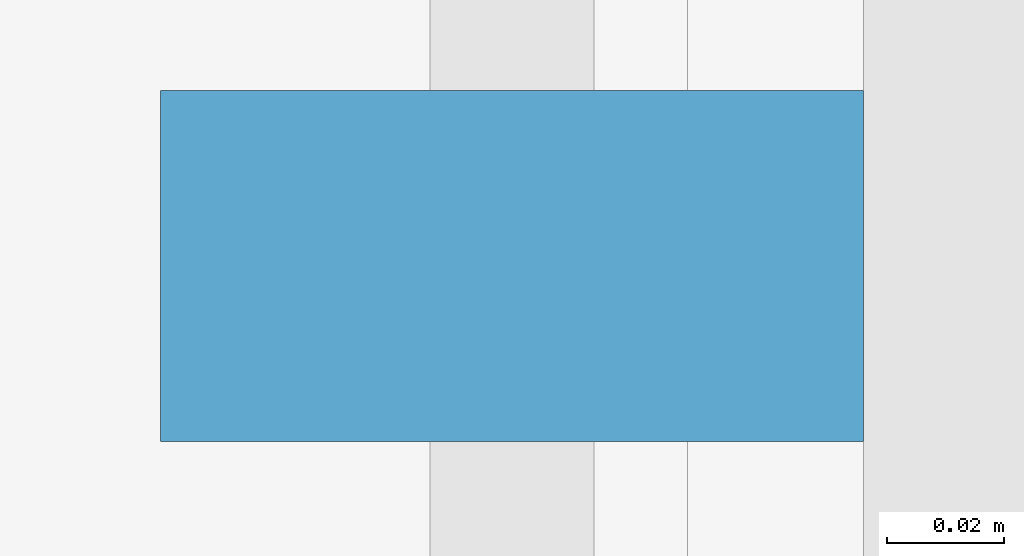
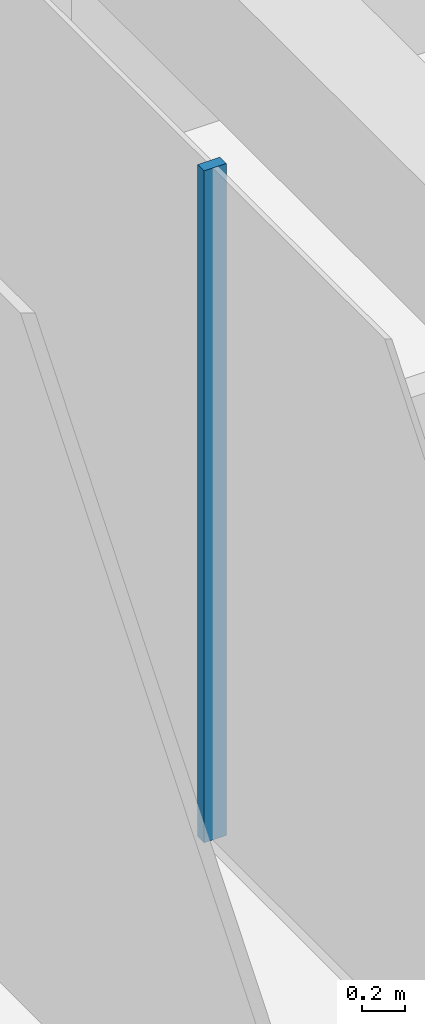
# One storey, part 8 of 19: 1 member, 1 element without a shape of its own.
"""IFC4 building model written with IfcOpenShell, lengths in metres."""

from ifc_helpers import new_model, si_unit, direction, frame, origin, origin_2d, place, context, subcontext, project, spatial, rectangle, extrude, material, layer, layer_set, material_profile, profile_set, type_object, element, aggregate, save


model = new_model("IFC4")

# Units and contexts
model_context = context("Model", 3, precision=1e-05, world=origin(), true_north=direction((0.0, 1.0)))
body_context = subcontext(model_context, "Body", "Model", "MODEL_VIEW")
ifc_project = project(units=[si_unit("LENGTHUNIT", "METRE"), si_unit("AREAUNIT", "SQUARE_METRE"), si_unit("VOLUMEUNIT", "CUBIC_METRE"), si_unit("PLANEANGLEUNIT", "RADIAN"), si_unit("MASSUNIT", "GRAM", prefix="KILO")], contexts=[model_context])

# Site, building, storey
site_placement = place(None, origin())
site = spatial("IfcSite", under=ifc_project, at=site_placement, CompositionType="ELEMENT")
building_placement = place(site_placement, origin())
building = spatial("IfcBuilding", under=site, at=building_placement, Name="Welwitschia Terrace Campus", CompositionType="ELEMENT")
storey_placement = place(building_placement, frame((0.0, 0.0, 276.800048828125)))
storey = spatial("IfcBuildingStorey", under=building, at=storey_placement, Name="L61", CompositionType="ELEMENT", Elevation=276.800048828125)

# Curtain wall, member
ifc_material_1 = material(Name="Bronze anodised aluminium", Category="aluminium")
ifc_layer = layer(ifc_material_1, 0.1201171875)
ifc_layer_set = layer_set([ifc_layer], Name="Bronze anodised aluminium")
curtain_wall_type = type_object("IfcCurtainWallType", Name="Curtain wall CW2 tower 6000", PredefinedType="NOTDEFINED", material=ifc_layer_set)
curtain_wall_placement = place(storey_placement, origin())
curtain_wall = element("IfcCurtainWall", 1, at=curtain_wall_placement, inside=storey, type_object=curtain_wall_type, Name="CW L61.10.0", PredefinedType="NOTDEFINED")
ifc_material_2 = material(Name="Bronze anodised aluminium", Category="aluminium")
ifc_material_profile = material_profile(ifc_material_2, rectangle(XDim=0.1201171875, YDim=0.06005859375, at=origin_2d()))
ifc_profile_set = profile_set([ifc_material_profile], Name="Bronze anodised aluminium")
member_type = type_object("IfcMemberType", Name="Mullion 60x120", PredefinedType="MULLION", material=ifc_profile_set)
member_placement = place(storey_placement, frame((-1.030029296875, 45.872802734375, 0.0), z_axis=(0.0, 0.0, 1.0), x_axis=(1.0, 0.0, 0.0)))
member = element("IfcMember", 2, at=member_placement, type_object=member_type, Name="Mullion L61.10.0.3", PredefinedType="MULLION", context=body_context, shape_type="SweptSolid", body=[
    extrude(rectangle(XDim=0.1201171875, YDim=0.06005859375, at=origin_2d()), origin(), (0.0, 0.0, 1.0), 3.849853515625),
])
aggregate(curtain_wall, [member])

save(model, "model.ifc")
